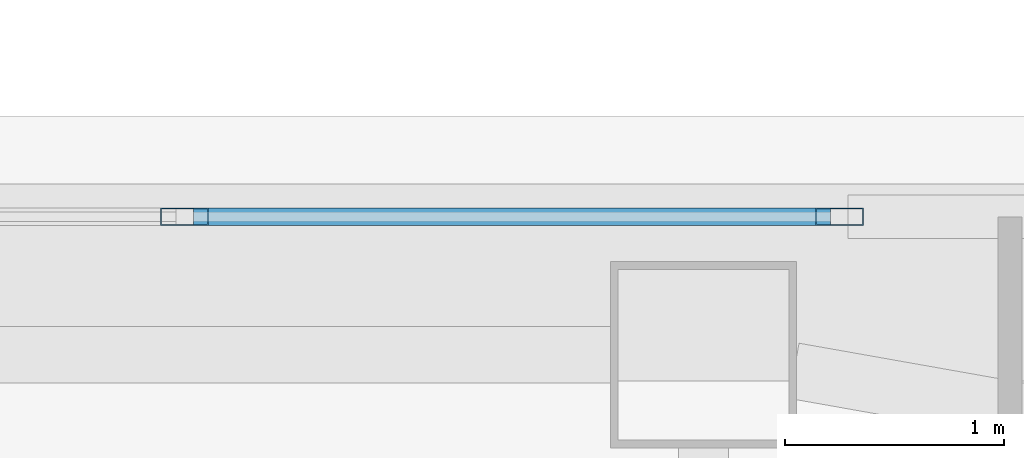
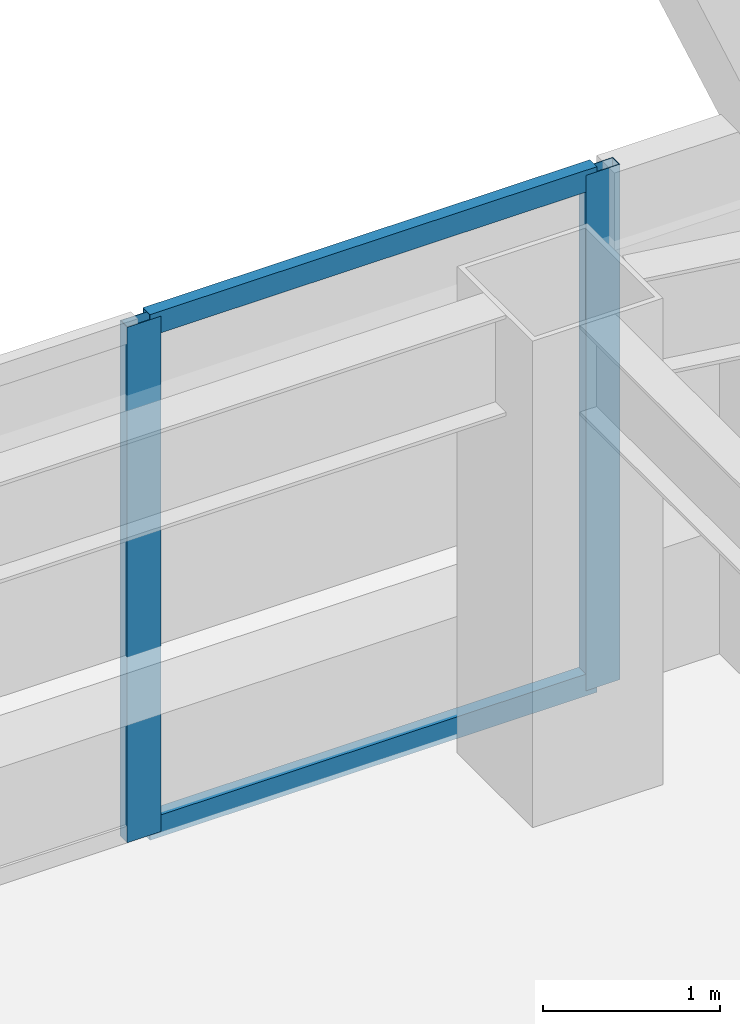
# One storey, part 20 of 54: 4 members, 1 element without a shape of its own.
"""IFC4 building model written with IfcOpenShell, lengths in metres."""

from ifc_helpers import new_model, si_unit, direction, frame, origin, origin_2d, place, context, subcontext, project, spatial, hollow_rectangle, extrude, material, material_profile, profile_set, type_object, element, aggregate, save


model = new_model("IFC4")

# Units and contexts
model_context = context("Model", 3, precision=1e-05, world=origin(), true_north=direction((0.0, 1.0)))
body_context = subcontext(model_context, "Body", "Model", "MODEL_VIEW")
ifc_project = project(units=[si_unit("LENGTHUNIT", "METRE"), si_unit("AREAUNIT", "SQUARE_METRE"), si_unit("VOLUMEUNIT", "CUBIC_METRE"), si_unit("PLANEANGLEUNIT", "RADIAN"), si_unit("MASSUNIT", "GRAM", prefix="KILO")], contexts=[model_context])

# Site, building, storey
site_placement = place(None, origin())
site = spatial("IfcSite", under=ifc_project, at=site_placement, CompositionType="ELEMENT")
building_placement = place(site_placement, origin())
building = spatial("IfcBuilding", under=site, at=building_placement, Name="Tashvorn Skyway Center", CompositionType="ELEMENT")
storey_placement = place(building_placement, frame((0.0, 0.0, 88.5)))
storey = spatial("IfcBuildingStorey", under=building, at=storey_placement, Name="L23", CompositionType="ELEMENT", Elevation=88.5)

# Curtain wall, members
ifc_material = material(Name="Thermally broken bronze-anodized aluminium 6063-T6", Category="aluminium")
curtain_wall_type = type_object("IfcCurtainWallType", Name="CW-CW-Z2", PredefinedType="NOTDEFINED", material=ifc_material)
curtain_wall_placement = place(storey_placement, origin())
curtain_wall = element("IfcCurtainWall", 1, at=curtain_wall_placement, inside=storey, type_object=curtain_wall_type, Name="Tower 1 L23 North Unitised Curtain Wall Glazing Group 2", PredefinedType="NOTDEFINED")
ifc_material_profile_1 = material_profile(ifc_material, hollow_rectangle(XDim=0.080078125, YDim=0.219970703125, WallThickness=0.0048828125, at=origin_2d()), Name="ALU-MULL-80x220")
ifc_profile_set_1 = profile_set([ifc_material_profile_1], Name="Thermally broken bronze-anodized aluminium 6063-T6")
member_type_1 = type_object("IfcMemberType", Name="CWM-CW-Z2", PredefinedType="MULLION", material=ifc_profile_set_1)
member_1_placement = place(storey_placement, frame((45.030029296875, 52.97998046875, 0.0), z_axis=(0.0, 0.0, 1.0), x_axis=(0.0, 1.0, 0.0)))
member_1 = element("IfcMember", 2, at=member_1_placement, type_object=member_type_1, Name="CW-Z2 mullion 4", PredefinedType="MULLION", context=body_context, shape_type="SweptSolid", body=[
    extrude(hollow_rectangle(XDim=0.080078125, YDim=0.219970703125, WallThickness=0.0048828125, at=origin_2d()), origin(), (0.0, 0.0, 1.0), 3.550048828125),
])
member_2_placement = place(storey_placement, frame((48.02001953125, 52.97998046875, 0.0), z_axis=(0.0, 0.0, 1.0), x_axis=(0.0, 1.0, 0.0)))
member_2 = element("IfcMember", 3, at=member_2_placement, type_object=member_type_1, Name="CW-Z2 mullion 5", PredefinedType="MULLION", context=body_context, shape_type="SweptSolid", body=[
    extrude(hollow_rectangle(XDim=0.080078125, YDim=0.219970703125, WallThickness=0.0048828125, at=origin_2d()), origin(), (0.0, 0.0, 1.0), 3.550048828125),
])
ifc_material_profile_2 = material_profile(ifc_material, hollow_rectangle(XDim=0.080078125, YDim=0.14990234375, WallThickness=0.00439453125, at=origin_2d()), Name="ALU-TRAN-80x150")
ifc_profile_set_2 = profile_set([ifc_material_profile_2], Name="Thermally broken bronze-anodized aluminium 6063-T6")
member_type_2 = type_object("IfcMemberType", Name="CWT-CW-Z2", PredefinedType="USERDEFINED", material=ifc_profile_set_2)
member_3_placement = place(storey_placement, frame((45.070068359375, 52.97998046875, 0.0400390625), z_axis=(1.0, 0.0, 0.0), x_axis=(0.0, 1.0, 0.0)))
member_3 = element("IfcMember", 4, at=member_3_placement, type_object=member_type_2, Name="CW-Z2 transom 4.1", ObjectType="TRANSOM", PredefinedType="USERDEFINED", context=body_context, shape_type="SweptSolid", body=[
    extrude(hollow_rectangle(XDim=0.080078125, YDim=0.14990234375, WallThickness=0.00439453125, at=origin_2d()), origin(), (0.0, 0.0, 1.0), 2.909912109375),
])
member_4_placement = place(storey_placement, frame((45.070068359375, 52.97998046875, 3.510009765625), z_axis=(1.0, 0.0, 0.0), x_axis=(0.0, 1.0, 0.0)))
member_4 = element("IfcMember", 5, at=member_4_placement, type_object=member_type_2, Name="CW-Z2 transom 4.2", ObjectType="TRANSOM", PredefinedType="USERDEFINED", context=body_context, shape_type="SweptSolid", body=[
    extrude(hollow_rectangle(XDim=0.080078125, YDim=0.14990234375, WallThickness=0.00439453125, at=origin_2d()), origin(), (0.0, 0.0, 1.0), 2.909912109375),
])
aggregate(curtain_wall, [member_1, member_2, member_3, member_4])

save(model, "model.ifc")
